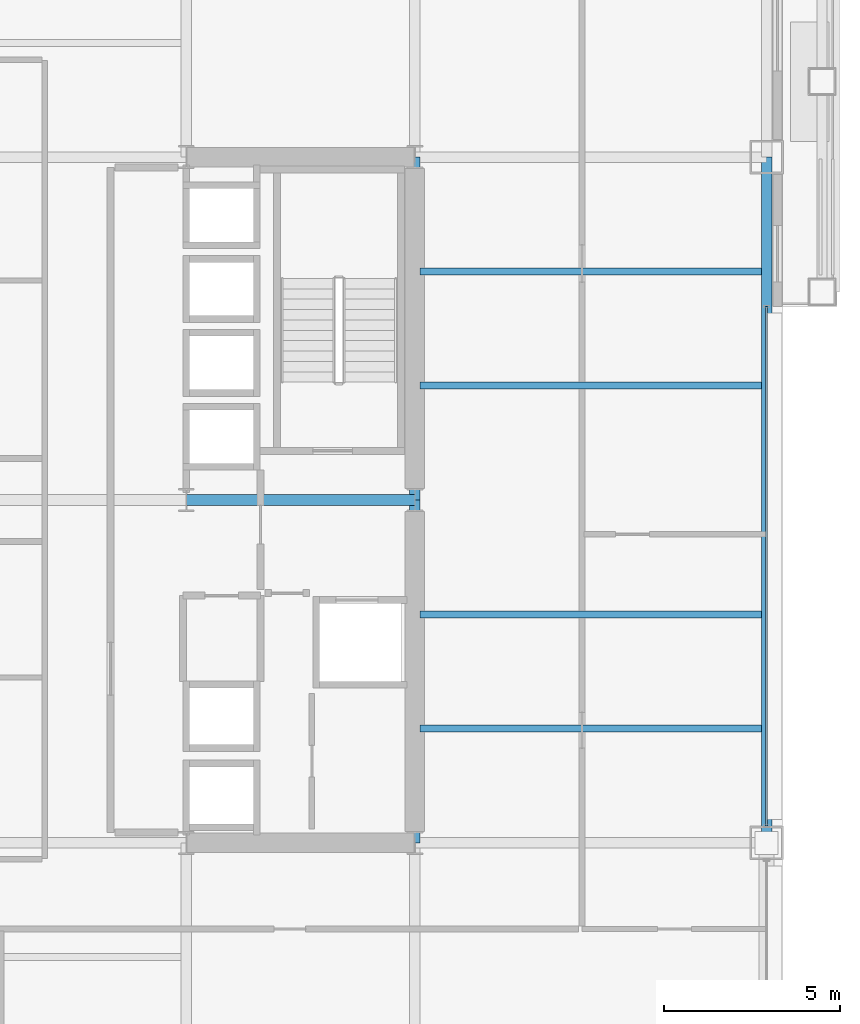
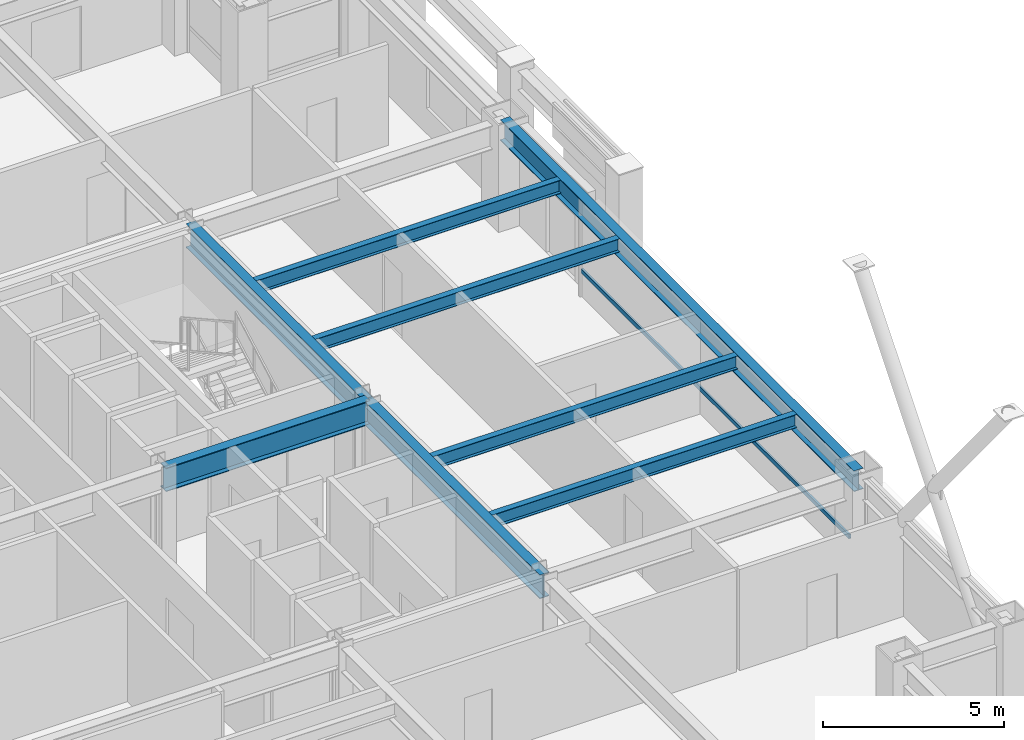
# One storey, part 15 of 34: 8 beams, 1 member, 1 element without a shape of its own.
"""IFC4 building model written with IfcOpenShell, lengths in metres."""

from ifc_helpers import new_model, si_unit, direction, frame, origin, origin_2d, place, context, subcontext, project, spatial, hollow_rectangle, i_section, extrude, material, layer, layer_set, material_profile, profile_set, type_object, element, aggregate, save


model = new_model("IFC4")

# Units and contexts
model_context = context("Model", 3, precision=1e-05, world=origin(), true_north=direction((0.0, 1.0)))
body_context = subcontext(model_context, "Body", "Model", "MODEL_VIEW")
ifc_project = project(units=[si_unit("LENGTHUNIT", "METRE"), si_unit("AREAUNIT", "SQUARE_METRE"), si_unit("VOLUMEUNIT", "CUBIC_METRE"), si_unit("PLANEANGLEUNIT", "RADIAN"), si_unit("MASSUNIT", "GRAM", prefix="KILO")], contexts=[model_context])

# Site, building, storey
site_placement = place(None, origin())
site = spatial("IfcSite", under=ifc_project, at=site_placement, CompositionType="ELEMENT")
building_placement = place(site_placement, origin())
building = spatial("IfcBuilding", under=site, at=building_placement, Name="Brelmoor Portico Tower", CompositionType="ELEMENT")
storey_placement = place(building_placement, frame((0.0, 0.0, 45.60009765625)))
storey = spatial("IfcBuildingStorey", under=building, at=storey_placement, Name="L11", CompositionType="ELEMENT", Elevation=45.60009765625)

# Beams
ifc_material_1 = material(Name="Steel Q355B", Category="steel")
ifc_material_profile_1 = material_profile(ifc_material_1, i_section(OverallWidth=0.199951171875, OverallDepth=0.449951171875, WebThickness=0.009033203125, FlangeThickness=0.013916015625, at=origin_2d()), Name="HN 450x200x9x14")
ifc_profile_set_1 = profile_set([ifc_material_profile_1], Name="Steel Q355B")
beam_type_1 = type_object("IfcBeamType", Name="BM-JS-450", PredefinedType="JOIST", material=ifc_profile_set_1)
for number, where, z_axis, x_axis, name in (
    (1, (14.699951171875, -6.5, 3.1748046875), (1.0, 0.0, 0.0), (0.0, 1.0, 0.0), "L11 Secondary Wing Joist JS-E09"),
    (2, (14.699951171875, -3.25, 3.1748046875), (1.0, 0.0, 0.0), (0.0, 1.0, 0.0), "L11 Secondary Wing Joist JS-E10"),
    (3, (14.699951171875, 3.25, 3.1748046875), (1.0, 0.0, 0.0), (0.0, 1.0, 0.0), "L11 Secondary Wing Joist JS-E11"),
    (4, (14.699951171875, 6.5, 3.1748046875), (1.0, 0.0, 0.0), (0.0, 1.0, 0.0), "L11 Secondary Wing Joist JS-E12"),
):
    element("IfcBeam", number, at=place(storey_placement, frame(where, z_axis=z_axis, x_axis=x_axis)), inside=storey, type_object=beam_type_1, Name=name, PredefinedType="JOIST", context=body_context, shape_type="SweptSolid", body=[
        extrude(i_section(OverallWidth=0.199951171875, OverallDepth=0.449951171875, WebThickness=0.009033203125, FlangeThickness=0.013916015625, at=origin_2d()), origin(), (0.0, 0.0, 1.0), 9.699951171875),
    ])
ifc_material_profile_2 = material_profile(ifc_material_1, i_section(OverallWidth=0.300048828125, OverallDepth=0.800048828125, WebThickness=0.013916015625, FlangeThickness=0.02587890625, at=origin_2d()), Name="HN 800x300x14x26")
ifc_profile_set_2 = profile_set([ifc_material_profile_2], Name="Steel Q355B")
beam_type_2 = type_object("IfcBeamType", Name="BM-PG-800", PredefinedType="BEAM", material=ifc_profile_set_2)
for number, where, z_axis, x_axis, name in (
    (5, (14.550048828125, -9.75, 3.0), (0.0, 1.0, 0.0), (-1.0, 0.0, 0.0), "L11 Primary Floor Girder PG-12"),
    (6, (14.550048828125, 0.0, 3.0), (0.0, 1.0, 0.0), (-1.0, 0.0, 0.0), "L11 Primary Floor Girder PG-13"),
):
    element("IfcBeam", number, at=place(storey_placement, frame(where, z_axis=z_axis, x_axis=x_axis)), inside=storey, type_object=beam_type_2, Name=name, PredefinedType="BEAM", context=body_context, shape_type="SweptSolid", body=[
        extrude(i_section(OverallWidth=0.300048828125, OverallDepth=0.800048828125, WebThickness=0.013916015625, FlangeThickness=0.02587890625, at=origin_2d()), origin(), (0.0, 0.0, 1.0), 9.75),
    ])
beam_1_placement = place(storey_placement, frame((8.050048828125, 0.0, 3.0), z_axis=(1.0, 0.0, 0.0), x_axis=(0.0, 1.0, 0.0)))
element("IfcBeam", 7, at=beam_1_placement, inside=storey, type_object=beam_type_2, Name="L11 Primary Floor Girder PG-26", PredefinedType="BEAM", context=body_context, shape_type="SweptSolid", body=[
    extrude(i_section(OverallWidth=0.300048828125, OverallDepth=0.800048828125, WebThickness=0.013916015625, FlangeThickness=0.02587890625, at=origin_2d()), origin(), (0.0, 0.0, 1.0), 6.5),
])
ifc_material_profile_3 = material_profile(ifc_material_1, i_section(OverallWidth=0.300048828125, OverallDepth=0.699951171875, WebThickness=0.012939453125, FlangeThickness=0.02392578125, at=origin_2d()), Name="HN 700x300x13x24")
ifc_profile_set_3 = profile_set([ifc_material_profile_3], Name="Steel Q355B")
beam_type_3 = type_object("IfcBeamType", Name="BM-SP-700", PredefinedType="SPANDREL", material=ifc_profile_set_3)
beam_2_placement = place(storey_placement, frame((24.550048828125, -9.75, 3.0498046875), z_axis=(0.0, 1.0, 0.0), x_axis=(-1.0, 0.0, 0.0)))
element("IfcBeam", 8, at=beam_2_placement, inside=storey, type_object=beam_type_3, Name="L11 Perimeter Spandrel Beam SP-23", PredefinedType="SPANDREL", context=body_context, shape_type="SweptSolid", body=[
    extrude(i_section(OverallWidth=0.300048828125, OverallDepth=0.699951171875, WebThickness=0.012939453125, FlangeThickness=0.02392578125, at=origin_2d()), origin(), (0.0, 0.0, 1.0), 19.5),
])

# Curtain wall, member
ifc_material_2 = material(Name="Anodised Aluminium Alloy 6063-T6", Category="aluminium")
ifc_layer = layer(ifc_material_2, 0.179931640625)
ifc_layer_set = layer_set([ifc_layer], Name="Anodised Aluminium Alloy 6063-T6")
curtain_wall_type = type_object("IfcCurtainWallType", Name="CW-TOWER-Z1", PredefinedType="NOTDEFINED", material=ifc_layer_set)
curtain_wall_placement = place(storey_placement, origin())
curtain_wall = element("IfcCurtainWall", 9, at=curtain_wall_placement, inside=storey, type_object=curtain_wall_type, Name="L11 Curtain Wall CW-L11-4L-2", PredefinedType="NOTDEFINED")
ifc_material_profile_4 = material_profile(ifc_material_2, hollow_rectangle(XDim=0.06494140625, YDim=0.139892578125, WallThickness=0.00390625, at=origin_2d()), Name="ALU TRANSOM 65x140")
ifc_profile_set_4 = profile_set([ifc_material_profile_4], Name="Anodised Aluminium Alloy 6063-T6")
member_type = type_object("IfcMemberType", Name="MB-CW-TRAN-140", PredefinedType="USERDEFINED", material=ifc_profile_set_4)
member_placement = place(storey_placement, frame((24.550048828125, -9.264892578125, 0.849853515625), z_axis=(0.0, 1.0, 0.0), x_axis=(-1.0, 0.0, 0.0)))
member = element("IfcMember", 10, at=member_placement, type_object=member_type, Name="CW-L11-4L-2 Transom 1-00", ObjectType="TRANSOM", PredefinedType="USERDEFINED", context=body_context, shape_type="SweptSolid", body=[
    extrude(hollow_rectangle(XDim=0.06494140625, YDim=0.139892578125, WallThickness=0.00390625, at=origin_2d()), origin(), (0.0, 0.0, 1.0), 14.764892578125),
])
aggregate(curtain_wall, [member])

save(model, "model.ifc")
